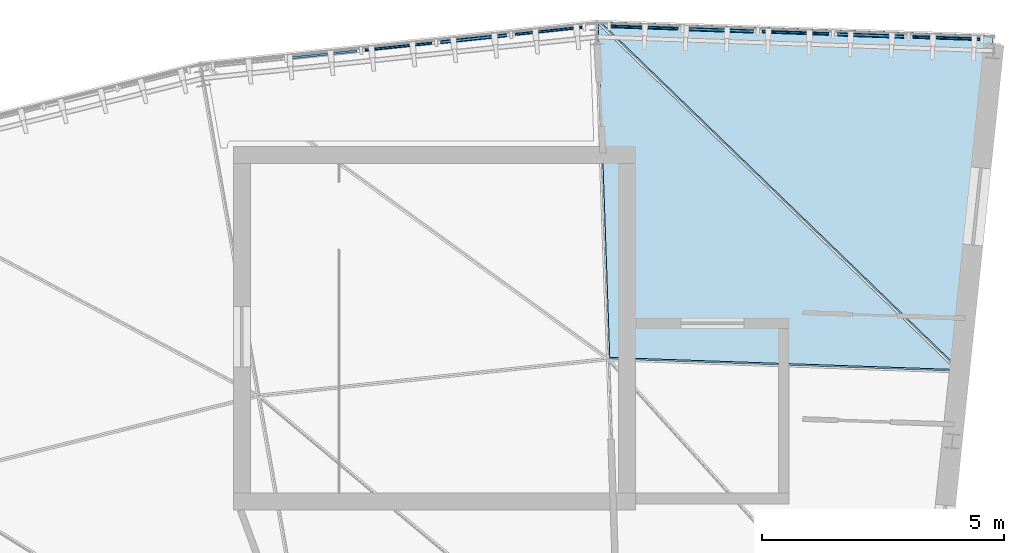
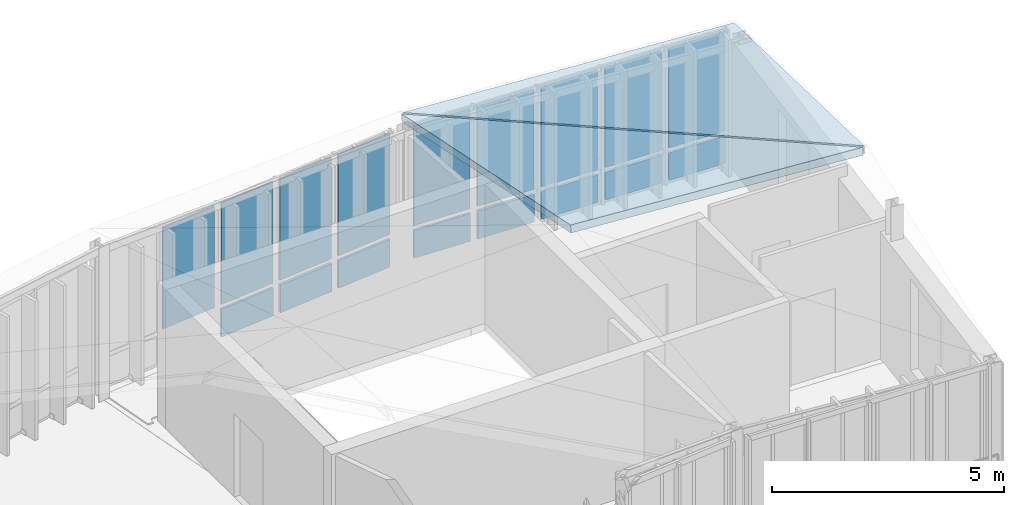
# One storey, part 21 of 42: 17 plates, 2 slabs, 2 elements without a shape of their own.
"""IFC4 building model written with IfcOpenShell, lengths in metres."""

from ifc_helpers import new_model, si_unit, direction, frame, origin, origin_2d, place, context, subcontext, project, spatial, polyline, rectangle, outline, extrude, material, layer, layer_set, type_object, element, aggregate, save


model = new_model("IFC4")

# Units and contexts
model_context = context("Model", 3, precision=1e-05, world=origin(), true_north=direction((0.0, 1.0)))
body_context = subcontext(model_context, "Body", "Model", "MODEL_VIEW")
ifc_project = project(units=[si_unit("LENGTHUNIT", "METRE"), si_unit("AREAUNIT", "SQUARE_METRE"), si_unit("VOLUMEUNIT", "CUBIC_METRE"), si_unit("PLANEANGLEUNIT", "RADIAN"), si_unit("MASSUNIT", "GRAM", prefix="KILO"), si_unit("THERMODYNAMICTEMPERATUREUNIT", "KELVIN"), si_unit("POWERUNIT", "WATT")], contexts=[model_context])

# Site, building, storey
site_placement = place(None, origin())
site = spatial("IfcSite", under=ifc_project, at=site_placement, CompositionType="ELEMENT")
building_placement = place(site_placement, origin())
building = spatial("IfcBuilding", under=site, at=building_placement, Name="Solvatero Civic Police Headquarters", CompositionType="ELEMENT")
storey_placement = place(building_placement, frame((0.0, 0.0, 21.60009765625)))
storey = spatial("IfcBuildingStorey", under=building, at=storey_placement, Name="L05", CompositionType="ELEMENT", Elevation=21.60009765625)

# Curtain wall, plates
ifc_material_1 = material(Name="Anodized Bronze Aluminium", Category="aluminium")
ifc_layer_1 = layer(ifc_material_1, 0.179931640625)
ifc_layer_set_1 = layer_set([ifc_layer_1], Name="Anodized Bronze Aluminium")
curtain_wall_type = type_object("IfcCurtainWallType", Name="CW-ARC-OUT", PredefinedType="USERDEFINED", material=ifc_layer_set_1)
curtain_wall_1_placement = place(storey_placement, origin())
curtain_wall_1 = element("IfcCurtainWall", 1, at=curtain_wall_1_placement, inside=storey, type_object=curtain_wall_type, Name="Curtain Wall CW-R2-L05-ARC-OUT-B01", ObjectType="UNITISED", PredefinedType="USERDEFINED")
ifc_material_2 = material(Name="Triple Low-E Laminated Glass", Category="glass")
ifc_layer_2 = layer(ifc_material_2, 0.0380859375)
ifc_layer_set_2 = layer_set([ifc_layer_2], Name="Triple Low-E Laminated Glass")
plate_type_1 = type_object("IfcPlateType", Name="CWP-GLZ-38", PredefinedType="CURTAIN_PANEL", material=ifc_layer_set_2)
plate_1_placement = place(storey_placement, frame((99.160888671875, 84.592041015625, 0.909912109375), z_axis=(0.0, 0.0, 1.0), x_axis=(-0.999390217756, 0.034916939358, 0.0)))
plate_1 = element("IfcPlate", 2, at=plate_1_placement, type_object=plate_type_1, Name="CW-R2-L05-ARC-OUT-B01 Vision Glazing 1", PredefinedType="CURTAIN_PANEL", context=body_context, shape_type="SweptSolid", body=[
    extrude(rectangle(XDim=1.37646484375, YDim=0.0380859375, at=origin_2d()), origin(), (0.0, 0.0, 1.0), 2.62060546875),
])
plate_2_placement = place(storey_placement, frame((96.0498046875, 84.70068359375, 0.909912109375), z_axis=(0.0, 0.0, 1.0), x_axis=(-0.999390217756, 0.034916939358, 0.0)))
plate_2 = element("IfcPlate", 3, at=plate_2_placement, type_object=plate_type_1, Name="CW-R2-L05-ARC-OUT-B01 Vision Glazing 3", PredefinedType="CURTAIN_PANEL", context=body_context, shape_type="SweptSolid", body=[
    extrude(rectangle(XDim=1.37646484375, YDim=0.0380859375, at=origin_2d()), origin(), (0.0, 0.0, 1.0), 2.62060546875),
])
plate_3_placement = place(storey_placement, frame((92.938720703125, 84.809326171875, 0.909912109375), z_axis=(0.0, 0.0, 1.0), x_axis=(-0.999390217756, 0.034916939358, 0.0)))
plate_3 = element("IfcPlate", 4, at=plate_3_placement, type_object=plate_type_1, Name="CW-R2-L05-ARC-OUT-B01 Vision Glazing 5", PredefinedType="CURTAIN_PANEL", context=body_context, shape_type="SweptSolid", body=[
    extrude(rectangle(XDim=1.37646484375, YDim=0.0380859375, at=origin_2d()), origin(), (0.0, 0.0, 1.0), 2.62060546875),
])

curtain_wall_2_placement = place(storey_placement, origin())
curtain_wall_2 = element("IfcCurtainWall", 5, at=curtain_wall_2_placement, inside=storey, type_object=curtain_wall_type, Name="Curtain Wall CW-R2-L05-ARC-OUT-B02", ObjectType="UNITISED", PredefinedType="USERDEFINED")
plate_4_placement = place(storey_placement, frame((90.956298828125, 84.740234375, 0.909912109375), z_axis=(0.0, 0.0, 1.0), x_axis=(-0.994523719583, -0.10451110557, 0.0)))
plate_4 = element("IfcPlate", 6, at=plate_4_placement, type_object=plate_type_1, Name="CW-R2-L05-ARC-OUT-B02 Vision Glazing 1", PredefinedType="CURTAIN_PANEL", context=body_context, shape_type="SweptSolid", body=[
    extrude(rectangle(XDim=1.37646484375, YDim=0.0380859375, at=origin_2d()), origin(), (0.0, 0.0, 1.0), 2.669921875),
])
plate_5_placement = place(storey_placement, frame((87.8603515625, 84.414794921875, 0.909912109375), z_axis=(0.0, 0.0, 1.0), x_axis=(-0.994523719583, -0.10451110557, 0.0)))
plate_5 = element("IfcPlate", 7, at=plate_5_placement, type_object=plate_type_1, Name="CW-R2-L05-ARC-OUT-B02 Vision Glazing 3", PredefinedType="CURTAIN_PANEL", context=body_context, shape_type="SweptSolid", body=[
    extrude(rectangle(XDim=1.37646484375, YDim=0.0380859375, at=origin_2d()), origin(), (0.0, 0.0, 1.0), 2.669921875),
])

# Plate
ifc_material_3 = material(Name="Acoustic Ballistic Laminated Glass", Category="glass")
ifc_layer_3 = layer(ifc_material_3, 0.0439453125)
ifc_layer_set_3 = layer_set([ifc_layer_3], Name="Acoustic Ballistic Laminated Glass")
plate_type_2 = type_object("IfcPlateType", Name="CWP-GLZ-44", PredefinedType="CURTAIN_PANEL", material=ifc_layer_set_3)
plate_6_placement = place(storey_placement, frame((97.60546875, 84.646484375, 0.909912109375), z_axis=(0.0, 0.0, 1.0), x_axis=(-0.999390217756, 0.034916939358, 0.0)))
plate_6 = element("IfcPlate", 8, at=plate_6_placement, type_object=plate_type_2, Name="CW-R2-L05-ARC-OUT-B01 Vision Glazing 2", PredefinedType="CURTAIN_PANEL", context=body_context, shape_type="SweptSolid", body=[
    extrude(rectangle(XDim=1.37646484375, YDim=0.0439453125, at=origin_2d()), origin(), (0.0, 0.0, 1.0), 2.62060546875),
])

plate_7_placement = place(storey_placement, frame((94.494384765625, 84.7548828125, 0.909912109375), z_axis=(0.0, 0.0, 1.0), x_axis=(-0.999390217756, 0.034916939358, 0.0)))
plate_7 = element("IfcPlate", 9, at=plate_7_placement, type_object=plate_type_2, Name="CW-R2-L05-ARC-OUT-B01 Vision Glazing 4", PredefinedType="CURTAIN_PANEL", context=body_context, shape_type="SweptSolid", body=[
    extrude(rectangle(XDim=1.37646484375, YDim=0.0439453125, at=origin_2d()), origin(), (0.0, 0.0, 1.0), 2.62060546875),
])

plate_8_placement = place(storey_placement, frame((89.408203125, 84.577392578125, 0.909912109375), z_axis=(0.0, 0.0, 1.0), x_axis=(-0.994523719583, -0.10451110557, 0.0)))
plate_8 = element("IfcPlate", 10, at=plate_8_placement, type_object=plate_type_2, Name="CW-R2-L05-ARC-OUT-B02 Vision Glazing 2", PredefinedType="CURTAIN_PANEL", context=body_context, shape_type="SweptSolid", body=[
    extrude(rectangle(XDim=1.37646484375, YDim=0.0439453125, at=origin_2d()), origin(), (0.0, 0.0, 1.0), 2.669921875),
])

plate_9_placement = place(storey_placement, frame((86.312255859375, 84.252197265625, 0.909912109375), z_axis=(0.0, 0.0, 1.0), x_axis=(-0.994523719583, -0.10451110557, 0.0)))
plate_9 = element("IfcPlate", 11, at=plate_9_placement, type_object=plate_type_2, Name="CW-R2-L05-ARC-OUT-B02 Vision Glazing 4", PredefinedType="CURTAIN_PANEL", context=body_context, shape_type="SweptSolid", body=[
    extrude(rectangle(XDim=1.37646484375, YDim=0.0439453125, at=origin_2d()), origin(), (0.0, 0.0, 1.0), 2.669921875),
])

ifc_material_4 = material(Name="Insulated Bronze Aluminium Spandrel", Category="aluminium")
ifc_layer_4 = layer(ifc_material_4, 0.06005859375)
ifc_layer_set_4 = layer_set([ifc_layer_4], Name="Insulated Bronze Aluminium Spandrel")
plate_type_3 = type_object("IfcPlateType", Name="CWP-SPN-60", PredefinedType="CURTAIN_PANEL", material=ifc_layer_set_4)
plate_10_placement = place(storey_placement, frame((99.160888671875, 84.592041015625, 0.059814453125), z_axis=(0.0, 0.0, 1.0), x_axis=(-0.999390217756, 0.034916939358, 0.0)))
plate_10 = element("IfcPlate", 12, at=plate_10_placement, type_object=plate_type_3, Name="CW-R2-L05-ARC-OUT-B01 Spandrel Panel 1", PredefinedType="CURTAIN_PANEL", context=body_context, shape_type="SweptSolid", body=[
    extrude(rectangle(XDim=1.37646484375, YDim=0.06005859375, at=origin_2d()), origin(), (0.0, 0.0, 1.0), 0.72998046875),
])

plate_11_placement = place(storey_placement, frame((96.0498046875, 84.70068359375, 0.059814453125), z_axis=(0.0, 0.0, 1.0), x_axis=(-0.999390217756, 0.034916939358, 0.0)))
plate_11 = element("IfcPlate", 13, at=plate_11_placement, type_object=plate_type_3, Name="CW-R2-L05-ARC-OUT-B01 Spandrel Panel 3", PredefinedType="CURTAIN_PANEL", context=body_context, shape_type="SweptSolid", body=[
    extrude(rectangle(XDim=1.37646484375, YDim=0.06005859375, at=origin_2d()), origin(), (0.0, 0.0, 1.0), 0.72998046875),
])

plate_12_placement = place(storey_placement, frame((92.938720703125, 84.809326171875, 0.059814453125), z_axis=(0.0, 0.0, 1.0), x_axis=(-0.999390217756, 0.034916939358, 0.0)))
plate_12 = element("IfcPlate", 14, at=plate_12_placement, type_object=plate_type_3, Name="CW-R2-L05-ARC-OUT-B01 Spandrel Panel 5", PredefinedType="CURTAIN_PANEL", context=body_context, shape_type="SweptSolid", body=[
    extrude(rectangle(XDim=1.37646484375, YDim=0.06005859375, at=origin_2d()), origin(), (0.0, 0.0, 1.0), 0.72998046875),
])

plate_13_placement = place(storey_placement, frame((90.956298828125, 84.740234375, 0.059814453125), z_axis=(0.0, 0.0, 1.0), x_axis=(-0.994523719583, -0.10451110557, 0.0)))
plate_13 = element("IfcPlate", 15, at=plate_13_placement, type_object=plate_type_3, Name="CW-R2-L05-ARC-OUT-B02 Spandrel Panel 1", PredefinedType="CURTAIN_PANEL", context=body_context, shape_type="SweptSolid", body=[
    extrude(rectangle(XDim=1.37646484375, YDim=0.06005859375, at=origin_2d()), origin(), (0.0, 0.0, 1.0), 0.72998046875),
])

plate_14_placement = place(storey_placement, frame((87.8603515625, 84.414794921875, 0.059814453125), z_axis=(0.0, 0.0, 1.0), x_axis=(-0.994523719583, -0.10451110557, 0.0)))
plate_14 = element("IfcPlate", 16, at=plate_14_placement, type_object=plate_type_3, Name="CW-R2-L05-ARC-OUT-B02 Spandrel Panel 3", PredefinedType="CURTAIN_PANEL", context=body_context, shape_type="SweptSolid", body=[
    extrude(rectangle(XDim=1.37646484375, YDim=0.06005859375, at=origin_2d()), origin(), (0.0, 0.0, 1.0), 0.72998046875),
])

ifc_material_5 = material(Name="Limestone Veneer Spandrel Panel", Category="masonry")
ifc_layer_5 = layer(ifc_material_5, 0.074951171875)
ifc_layer_set_5 = layer_set([ifc_layer_5], Name="Limestone Veneer Spandrel Panel")
plate_type_4 = type_object("IfcPlateType", Name="CWP-SPN-75", PredefinedType="CURTAIN_PANEL", material=ifc_layer_set_5)
plate_15_placement = place(storey_placement, frame((97.60546875, 84.646484375, 0.059814453125), z_axis=(0.0, 0.0, 1.0), x_axis=(-0.999390217756, 0.034916939358, 0.0)))
plate_15 = element("IfcPlate", 17, at=plate_15_placement, type_object=plate_type_4, Name="CW-R2-L05-ARC-OUT-B01 Spandrel Panel 2", PredefinedType="CURTAIN_PANEL", context=body_context, shape_type="SweptSolid", body=[
    extrude(rectangle(XDim=1.37646484375, YDim=0.074951171875, at=origin_2d()), origin(), (0.0, 0.0, 1.0), 0.72998046875),
])

plate_16_placement = place(storey_placement, frame((94.494384765625, 84.7548828125, 0.059814453125), z_axis=(0.0, 0.0, 1.0), x_axis=(-0.999390217756, 0.034916939358, 0.0)))
plate_16 = element("IfcPlate", 18, at=plate_16_placement, type_object=plate_type_4, Name="CW-R2-L05-ARC-OUT-B01 Spandrel Panel 4", PredefinedType="CURTAIN_PANEL", context=body_context, shape_type="SweptSolid", body=[
    extrude(rectangle(XDim=1.37646484375, YDim=0.074951171875, at=origin_2d()), origin(), (0.0, 0.0, 1.0), 0.72998046875),
])

aggregate(curtain_wall_1, [plate_10, plate_1, plate_15, plate_6, plate_11, plate_2, plate_16, plate_7, plate_12, plate_3])

plate_17_placement = place(storey_placement, frame((89.408203125, 84.577392578125, 0.059814453125), z_axis=(0.0, 0.0, 1.0), x_axis=(-0.994523719583, -0.10451110557, 0.0)))
plate_17 = element("IfcPlate", 19, at=plate_17_placement, type_object=plate_type_4, Name="CW-R2-L05-ARC-OUT-B02 Spandrel Panel 2", PredefinedType="CURTAIN_PANEL", context=body_context, shape_type="SweptSolid", body=[
    extrude(rectangle(XDim=1.37646484375, YDim=0.074951171875, at=origin_2d()), origin(), (0.0, 0.0, 1.0), 0.72998046875),
])

aggregate(curtain_wall_2, [plate_13, plate_4, plate_17, plate_8, plate_14, plate_5, plate_9])

# Slabs
ifc_material_6 = material(Name="Concrete C35/45", Category="concrete")
ifc_layer_6 = layer(ifc_material_6, 0.18994140625)
ifc_layer_set_6 = layer_set([ifc_layer_6], Name="Concrete C35/45")
slab_type = type_object("IfcSlabType", Name="SLB-RF-ARC-190", PredefinedType="ROOF", material=ifc_layer_set_6)
slab_1_placement = place(storey_placement, frame((99.408203125, 77.789794921875, 4.768798828125), z_axis=(0.041642869829, 0.16273747924, 0.985790233388), x_axis=(-0.716246180844, 0.692760756988, -0.084106729835)))
element("IfcSlab", 20, at=slab_1_placement, inside=storey, type_object=slab_type, Name="Operations Arc Rising Roof Slab B1 OUT1", PredefinedType="ROOF", context=body_context, shape_type="SweptSolid", body=[
    extrude(outline(polyline([(0.0, 0.0), (10.301851942409991, -1.1379786002407855e-15), (4.32988535759621, -5.4858687515270645), (0.0, 0.0)])), origin(), (0.0, 0.0, -1.0), 0.18994140625),
])
slab_2_placement = place(storey_placement, frame((99.346923828125, 77.752685546875, 4.777587890625), z_axis=(0.04660284755, 0.167702104357, 0.984735588264), x_axis=(-0.998536977377, 0.034885180056, 0.041314997557)))
element("IfcSlab", 21, at=slab_2_placement, inside=storey, type_object=slab_type, Name="Operations Arc Rising Roof Slab B1 OUT2", PredefinedType="ROOF", context=body_context, shape_type="SweptSolid", body=[
    extrude(outline(polyline([(0.0, 0.0), (7.138373289112981, 2.7755575615628914e-17), (7.570263728496041, -6.965568016067978), (0.0, 0.0)])), origin(), (0.0, 0.0, -1.0), 0.18994140625),
])

save(model, "model.ifc")
